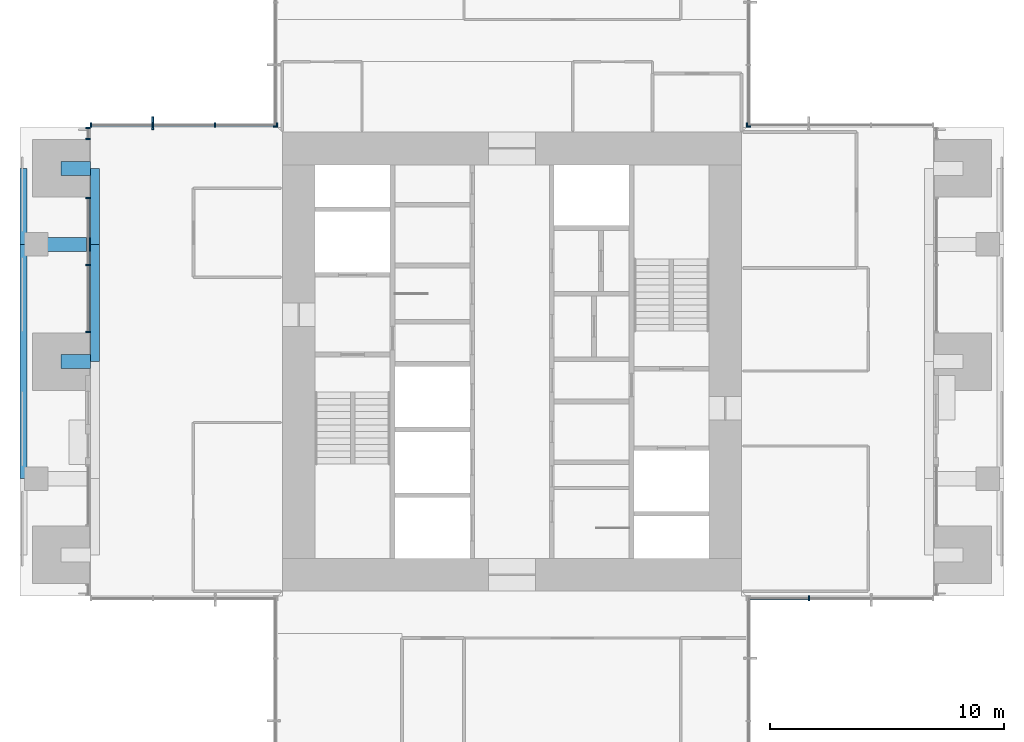
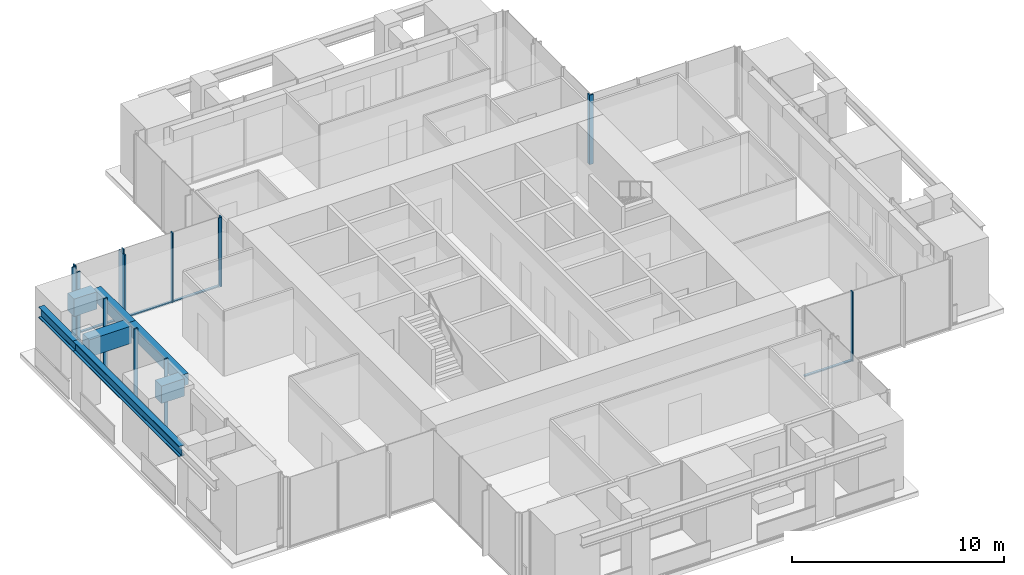
# One storey, part 3 of 17: 20 members, 7 beams, 7 elements without a shape of their own.
"""IFC4 building model written with IfcOpenShell, lengths in metres."""

from ifc_helpers import new_model, si_unit, direction, frame, origin, origin_2d, place, context, subcontext, project, spatial, rectangle, i_section, extrude, material, material_profile, profile_set, type_object, element, aggregate, save


model = new_model("IFC4")

# Units and contexts
model_context = context("Model", 3, precision=1e-05, world=origin(), true_north=direction((0.0, 1.0)))
body_context = subcontext(model_context, "Body", "Model", "MODEL_VIEW")
ifc_project = project(units=[si_unit("LENGTHUNIT", "METRE"), si_unit("AREAUNIT", "SQUARE_METRE"), si_unit("VOLUMEUNIT", "CUBIC_METRE"), si_unit("PLANEANGLEUNIT", "RADIAN"), si_unit("MASSUNIT", "GRAM", prefix="KILO")], contexts=[model_context])

# Site, building, storey
site_placement = place(None, origin())
site = spatial("IfcSite", under=ifc_project, at=site_placement, CompositionType="ELEMENT")
building_placement = place(site_placement, origin())
building = spatial("IfcBuilding", under=site, at=building_placement, Name="Svetlomir Tower", CompositionType="ELEMENT")
storey_placement = place(building_placement, frame((0.0, 0.0, 170.5)))
storey = spatial("IfcBuildingStorey", under=building, at=storey_placement, Name="L40", CompositionType="ELEMENT", Elevation=170.5)

# Curtain wall, member
ifc_material_1 = material(Name="Bronze anodised aluminium curtain wall", Category="aluminium")
curtain_wall_type = type_object("IfcCurtainWallType", Name="CURTAIN WALL CW1 TOWER OFFICE", PredefinedType="NOTDEFINED", material=ifc_material_1)
curtain_wall_1_placement = place(storey_placement, origin())
curtain_wall_1 = element("IfcCurtainWall", 1, at=curtain_wall_1_placement, inside=storey, type_object=curtain_wall_type, Name="Curtain wall CW1 L40", PredefinedType="NOTDEFINED")
ifc_material_2 = material(Name="Bronze anodised aluminium", Category="aluminium")
ifc_material_profile_1 = material_profile(ifc_material_2, rectangle(XDim=0.080078125, YDim=0.550048828125, at=origin_2d()), Name="FIN 80x550")
ifc_profile_set_1 = profile_set([ifc_material_profile_1], Name="Bronze anodised aluminium 6063-T6")
member_type_1 = type_object("IfcMemberType", Name="BRONZE FIN 80x550", PredefinedType="USERDEFINED", material=ifc_profile_set_1)
member_1_placement = place(storey_placement, frame((5.666748046875, 31.175048828125, 0.0), z_axis=(0.0, 0.0, 1.0), x_axis=(1.0, 0.0, 0.0)))
member_1 = element("IfcMember", 2, at=member_1_placement, type_object=member_type_1, Name="Bronze fin L40", ObjectType="FIN", PredefinedType="USERDEFINED", context=body_context, shape_type="SweptSolid", body=[
    extrude(rectangle(XDim=0.080078125, YDim=0.550048828125, at=origin_2d()), origin(), (0.0, 0.0, 1.0), 3.75),
])

curtain_wall_2_placement = place(storey_placement, origin())
curtain_wall_2 = element("IfcCurtainWall", 3, at=curtain_wall_2_placement, inside=storey, type_object=curtain_wall_type, Name="Curtain wall CW1 L40", PredefinedType="NOTDEFINED")
ifc_material_3 = material(Name="Bronze anodised aluminium", Category="aluminium")
ifc_material_profile_2 = material_profile(ifc_material_3, rectangle(XDim=0.06494140625, YDim=0.199951171875, at=origin_2d()), Name="AL 65x200")
ifc_profile_set_2 = profile_set([ifc_material_profile_2], Name="Bronze anodised aluminium 6063-T6")
member_type_2 = type_object("IfcMemberType", Name="CW1 MULLION 65x200", PredefinedType="MULLION", material=ifc_profile_set_2)
member_2_placement = place(storey_placement, frame((33.666748046875, 10.89990234375, 0.0), z_axis=(0.0, 0.0, 1.0), x_axis=(1.0, 0.0, 0.0)))
member_2 = element("IfcMember", 4, at=member_2_placement, type_object=member_type_2, Name="CW1 mullion 2", PredefinedType="MULLION", context=body_context, shape_type="SweptSolid", body=[
    extrude(rectangle(XDim=0.06494140625, YDim=0.199951171875, at=origin_2d()), origin(), (0.0, 0.0, 1.0), 4.0),
])

curtain_wall_3_placement = place(storey_placement, origin())
curtain_wall_3 = element("IfcCurtainWall", 5, at=curtain_wall_3_placement, inside=storey, type_object=curtain_wall_type, Name="Curtain wall CW1 L40", PredefinedType="NOTDEFINED")
member_3_placement = place(storey_placement, frame((31.032470703125, 31.10009765625, 0.0), z_axis=(0.0, 0.0, 1.0), x_axis=(-1.0, 0.0, 0.0)))
member_3 = element("IfcMember", 6, at=member_3_placement, type_object=member_type_2, Name="CW1 mullion 4", PredefinedType="MULLION", context=body_context, shape_type="SweptSolid", body=[
    extrude(rectangle(XDim=0.06494140625, YDim=0.199951171875, at=origin_2d()), origin(), (0.0, 0.0, 1.0), 4.0),
])
aggregate(curtain_wall_3, [member_3])

curtain_wall_4_placement = place(storey_placement, origin())
curtain_wall_4 = element("IfcCurtainWall", 7, at=curtain_wall_4_placement, inside=storey, type_object=curtain_wall_type, Name="Curtain wall CW1 L40", PredefinedType="NOTDEFINED")
member_4_placement = place(storey_placement, frame((31.10009765625, 31.032470703125, 0.0), z_axis=(0.0, 0.0, 1.0), x_axis=(0.0, 1.0, 0.0)))
member_4 = element("IfcMember", 8, at=member_4_placement, type_object=member_type_2, Name="CW1 mullion 1", PredefinedType="MULLION", context=body_context, shape_type="SweptSolid", body=[
    extrude(rectangle(XDim=0.06494140625, YDim=0.199951171875, at=origin_2d()), origin(), (0.0, 0.0, 1.0), 4.0),
])
aggregate(curtain_wall_4, [member_4])

curtain_wall_5_placement = place(storey_placement, origin())
curtain_wall_5 = element("IfcCurtainWall", 9, at=curtain_wall_5_placement, inside=storey, type_object=curtain_wall_type, Name="Curtain wall CW1 L40", PredefinedType="NOTDEFINED")
member_5_placement = place(storey_placement, frame((10.89990234375, 31.032470703125, 0.0), z_axis=(0.0, 0.0, 1.0), x_axis=(0.0, -1.0, 0.0)))
member_5 = element("IfcMember", 10, at=member_5_placement, type_object=member_type_2, Name="CW1 mullion 4", PredefinedType="MULLION", context=body_context, shape_type="SweptSolid", body=[
    extrude(rectangle(XDim=0.06494140625, YDim=0.199951171875, at=origin_2d()), origin(), (0.0, 0.0, 1.0), 4.0),
])
aggregate(curtain_wall_5, [member_5])

# Member
member_6_placement = place(storey_placement, frame((10.967529296875, 31.10009765625, 0.0), z_axis=(0.0, 0.0, 1.0), x_axis=(-1.0, 0.0, 0.0)))
member_6 = element("IfcMember", 11, at=member_6_placement, type_object=member_type_2, Name="CW1 mullion 1", PredefinedType="MULLION", context=body_context, shape_type="SweptSolid", body=[
    extrude(rectangle(XDim=0.06494140625, YDim=0.199951171875, at=origin_2d()), origin(), (0.0, 0.0, 1.0), 4.0),
])

member_7_placement = place(storey_placement, frame((8.333251953125, 31.10009765625, 0.0), z_axis=(0.0, 0.0, 1.0), x_axis=(-1.0, 0.0, 0.0)))
member_7 = element("IfcMember", 12, at=member_7_placement, type_object=member_type_2, Name="CW1 mullion 2", PredefinedType="MULLION", context=body_context, shape_type="SweptSolid", body=[
    extrude(rectangle(XDim=0.06494140625, YDim=0.199951171875, at=origin_2d()), origin(), (0.0, 0.0, 1.0), 4.0),
])

member_8_placement = place(storey_placement, frame((5.666748046875, 31.10009765625, 0.0), z_axis=(0.0, 0.0, 1.0), x_axis=(-1.0, 0.0, 0.0)))
member_8 = element("IfcMember", 13, at=member_8_placement, type_object=member_type_2, Name="CW1 mullion 3", PredefinedType="MULLION", context=body_context, shape_type="SweptSolid", body=[
    extrude(rectangle(XDim=0.06494140625, YDim=0.199951171875, at=origin_2d()), origin(), (0.0, 0.0, 1.0), 4.0),
])

member_9_placement = place(storey_placement, frame((3.032470703125, 31.10009765625, 0.0), z_axis=(0.0, 0.0, 1.0), x_axis=(-1.0, 0.0, 0.0)))
member_9 = element("IfcMember", 14, at=member_9_placement, type_object=member_type_2, Name="CW1 mullion 4", PredefinedType="MULLION", context=body_context, shape_type="SweptSolid", body=[
    extrude(rectangle(XDim=0.06494140625, YDim=0.199951171875, at=origin_2d()), origin(), (0.0, 0.0, 1.0), 4.0),
])

# Curtain wall, members
curtain_wall_6_placement = place(storey_placement, origin())
curtain_wall_6 = element("IfcCurtainWall", 15, at=curtain_wall_6_placement, inside=storey, type_object=curtain_wall_type, Name="Curtain wall CW1 L40", PredefinedType="NOTDEFINED")
member_10_placement = place(storey_placement, frame((2.89990234375, 30.967529296875, 0.0), z_axis=(0.0, 0.0, 1.0), x_axis=(0.0, -1.0, 0.0)))
member_10 = element("IfcMember", 16, at=member_10_placement, type_object=member_type_2, Name="CW1 mullion 1", PredefinedType="MULLION", context=body_context, shape_type="SweptSolid", body=[
    extrude(rectangle(XDim=0.06494140625, YDim=0.199951171875, at=origin_2d()), origin(), (0.0, 0.0, 1.0), 4.0),
])
member_11_placement = place(storey_placement, frame((2.89990234375, 30.507568359375, 0.0), z_axis=(0.0, 0.0, 1.0), x_axis=(0.0, -1.0, 0.0)))
member_11 = element("IfcMember", 17, at=member_11_placement, type_object=member_type_2, Name="CW1 mullion 2", PredefinedType="MULLION", context=body_context, shape_type="SweptSolid", body=[
    extrude(rectangle(XDim=0.06494140625, YDim=0.199951171875, at=origin_2d()), origin(), (0.0, 0.0, 1.0), 4.0),
])
aggregate(curtain_wall_6, [member_10, member_11])

curtain_wall_7_placement = place(storey_placement, origin())
curtain_wall_7 = element("IfcCurtainWall", 18, at=curtain_wall_7_placement, inside=storey, type_object=curtain_wall_type, Name="Curtain wall CW1 L40", PredefinedType="NOTDEFINED")
member_12_placement = place(storey_placement, frame((2.89990234375, 27.992431640625, 0.0), z_axis=(0.0, 0.0, 1.0), x_axis=(0.0, -1.0, 0.0)))
member_12 = element("IfcMember", 19, at=member_12_placement, type_object=member_type_2, Name="CW1 mullion 1", PredefinedType="MULLION", context=body_context, shape_type="SweptSolid", body=[
    extrude(rectangle(XDim=0.06494140625, YDim=0.199951171875, at=origin_2d()), origin(), (0.0, 0.0, 1.0), 4.0),
])
member_13_placement = place(storey_placement, frame((2.89990234375, 25.125, 0.0), z_axis=(0.0, 0.0, 1.0), x_axis=(0.0, -1.0, 0.0)))
member_13 = element("IfcMember", 20, at=member_13_placement, type_object=member_type_2, Name="CW1 mullion 2", PredefinedType="MULLION", context=body_context, shape_type="SweptSolid", body=[
    extrude(rectangle(XDim=0.06494140625, YDim=0.199951171875, at=origin_2d()), origin(), (0.0, 0.0, 1.0), 4.0),
])
member_14_placement = place(storey_placement, frame((2.89990234375, 22.257568359375, 0.0), z_axis=(0.0, 0.0, 1.0), x_axis=(0.0, -1.0, 0.0)))
member_14 = element("IfcMember", 21, at=member_14_placement, type_object=member_type_2, Name="CW1 mullion 3", PredefinedType="MULLION", context=body_context, shape_type="SweptSolid", body=[
    extrude(rectangle(XDim=0.06494140625, YDim=0.199951171875, at=origin_2d()), origin(), (0.0, 0.0, 1.0), 4.0),
])

# Member
ifc_material_4 = material(Name="Bronze anodised aluminium", Category="aluminium")
ifc_material_profile_3 = material_profile(ifc_material_4, rectangle(XDim=0.139892578125, YDim=0.06494140625, at=origin_2d()), Name="AL 140x65")
ifc_profile_set_3 = profile_set([ifc_material_profile_3], Name="Bronze anodised aluminium 6063-T6")
member_type_3 = type_object("IfcMemberType", Name="CW1 TRANSOM 65x140", PredefinedType="USERDEFINED", material=ifc_profile_set_3)
member_15_placement = place(storey_placement, frame((31.06494140625, 10.89990234375, 0.032470703125), z_axis=(1.0, 0.0, 0.0), x_axis=(0.0, 1.0, 0.0)))
member_15 = element("IfcMember", 22, at=member_15_placement, type_object=member_type_3, Name="CW1 transom 1.1", ObjectType="TRANSOM", PredefinedType="USERDEFINED", context=body_context, shape_type="SweptSolid", body=[
    extrude(rectangle(XDim=0.139892578125, YDim=0.06494140625, at=origin_2d()), origin(), (0.0, 0.0, 1.0), 2.5693359375),
])

aggregate(curtain_wall_2, [member_2, member_15])

member_16_placement = place(storey_placement, frame((10.93505859375, 31.10009765625, 0.032470703125), z_axis=(-1.0, 0.0, 0.0), x_axis=(0.0, -1.0, 0.0)))
member_16 = element("IfcMember", 23, at=member_16_placement, type_object=member_type_3, Name="CW1 transom 1.1", ObjectType="TRANSOM", PredefinedType="USERDEFINED", context=body_context, shape_type="SweptSolid", body=[
    extrude(rectangle(XDim=0.139892578125, YDim=0.06494140625, at=origin_2d()), origin(), (0.0, 0.0, 1.0), 2.5693359375),
])

member_17_placement = place(storey_placement, frame((8.30078125, 31.10009765625, 0.032470703125), z_axis=(-1.0, 0.0, 0.0), x_axis=(0.0, -1.0, 0.0)))
member_17 = element("IfcMember", 24, at=member_17_placement, type_object=member_type_3, Name="CW1 transom 2.1", ObjectType="TRANSOM", PredefinedType="USERDEFINED", context=body_context, shape_type="SweptSolid", body=[
    extrude(rectangle(XDim=0.139892578125, YDim=0.06494140625, at=origin_2d()), origin(), (0.0, 0.0, 1.0), 2.6015625),
])

member_18_placement = place(storey_placement, frame((5.63427734375, 31.10009765625, 0.032470703125), z_axis=(-1.0, 0.0, 0.0), x_axis=(0.0, -1.0, 0.0)))
member_18 = element("IfcMember", 25, at=member_18_placement, type_object=member_type_3, Name="CW1 transom 3.1", ObjectType="TRANSOM", PredefinedType="USERDEFINED", context=body_context, shape_type="SweptSolid", body=[
    extrude(rectangle(XDim=0.139892578125, YDim=0.06494140625, at=origin_2d()), origin(), (0.0, 0.0, 1.0), 2.5693359375),
])

aggregate(curtain_wall_1, [member_6, member_7, member_8, member_9, member_16, member_17, member_18, member_1])

member_19_placement = place(storey_placement, frame((2.89990234375, 27.9599609375, 0.032470703125), z_axis=(0.0, -1.0, 0.0), x_axis=(1.0, 0.0, 0.0)))
member_19 = element("IfcMember", 26, at=member_19_placement, type_object=member_type_3, Name="CW1 transom 1.1", ObjectType="TRANSOM", PredefinedType="USERDEFINED", context=body_context, shape_type="SweptSolid", body=[
    extrude(rectangle(XDim=0.139892578125, YDim=0.06494140625, at=origin_2d()), origin(), (0.0, 0.0, 1.0), 2.802490234375),
])

member_20_placement = place(storey_placement, frame((2.89990234375, 25.092529296875, 0.032470703125), z_axis=(0.0, -1.0, 0.0), x_axis=(1.0, 0.0, 0.0)))
member_20 = element("IfcMember", 27, at=member_20_placement, type_object=member_type_3, Name="CW1 transom 2.1", ObjectType="TRANSOM", PredefinedType="USERDEFINED", context=body_context, shape_type="SweptSolid", body=[
    extrude(rectangle(XDim=0.139892578125, YDim=0.06494140625, at=origin_2d()), origin(), (0.0, 0.0, 1.0), 2.802490234375),
])

aggregate(curtain_wall_7, [member_12, member_13, member_14, member_19, member_20])

# Beams
ifc_material_5 = material(Name="Steel S355", Category="steel")
ifc_material_profile_4 = material_profile(ifc_material_5, i_section(OverallWidth=0.304931640625, OverallDepth=0.6201171875, WebThickness=0.02099609375, FlangeThickness=0.0400390625, FilletRadius=0.027099609375, at=origin_2d()), Name="HEM 600")
ifc_profile_set_4 = profile_set([ifc_material_profile_4], Name="Steel S355")
beam_type_1 = type_object("IfcBeamType", Name="EDGE BEAM HEM 600", PredefinedType="SPANDREL", material=ifc_profile_set_4)
beam_1_placement = place(storey_placement, frame((0.152587890625, 16.0, 3.43994140625), z_axis=(0.0, 1.0, 0.0), x_axis=(-1.0, 0.0, 0.0)))
element("IfcBeam", 28, at=beam_1_placement, inside=storey, type_object=beam_type_1, Name="Edge beam 0/16 to 0/26 under L41", PredefinedType="SPANDREL", context=body_context, shape_type="SweptSolid", body=[
    extrude(i_section(OverallWidth=0.304931640625, OverallDepth=0.6201171875, WebThickness=0.02099609375, FlangeThickness=0.0400390625, FilletRadius=0.027099609375, at=origin_2d()), origin(), (0.0, 0.0, 1.0), 10.0),
])
beam_2_placement = place(storey_placement, frame((0.152587890625, 26.0, 3.43994140625), z_axis=(0.0, 1.0, 0.0), x_axis=(-1.0, 0.0, 0.0)))
element("IfcBeam", 29, at=beam_2_placement, inside=storey, type_object=beam_type_1, Name="Edge beam 0/26 to 0/31 under L41", PredefinedType="SPANDREL", context=body_context, shape_type="SweptSolid", body=[
    extrude(i_section(OverallWidth=0.304931640625, OverallDepth=0.6201171875, WebThickness=0.02099609375, FlangeThickness=0.0400390625, FilletRadius=0.027099609375, at=origin_2d()), origin(), (0.0, 0.0, 1.0), 3.25),
])
ifc_material_6 = material(Name="Concrete C60/75", Category="concrete")
ifc_material_profile_5 = material_profile(ifc_material_6, rectangle(XDim=0.39990234375, YDim=0.64990234375, at=origin_2d()), Name="RC 400x650")
ifc_profile_set_5 = profile_set([ifc_material_profile_5], Name="Concrete C60/75")
beam_type_2 = type_object("IfcBeamType", Name="FACADE EDGE BEAM RC 400x650", PredefinedType="BEAM", material=ifc_profile_set_5)
beam_3_placement = place(storey_placement, frame((3.199951171875, 21.0, 3.425048828125), z_axis=(0.0, 1.0, 0.0), x_axis=(-1.0, 0.0, 0.0)))
element("IfcBeam", 30, at=beam_3_placement, inside=storey, type_object=beam_type_2, Name="Facade edge beam W 21 to 26 under L41", PredefinedType="BEAM", context=body_context, shape_type="SweptSolid", body=[
    extrude(rectangle(XDim=0.39990234375, YDim=0.64990234375, at=origin_2d()), origin(), (0.0, 0.0, 1.0), 5.0),
])
beam_4_placement = place(storey_placement, frame((3.199951171875, 26.0, 3.425048828125), z_axis=(0.0, 1.0, 0.0), x_axis=(-1.0, 0.0, 0.0)))
element("IfcBeam", 31, at=beam_4_placement, inside=storey, type_object=beam_type_2, Name="Facade edge beam W 26 to 31 under L41", PredefinedType="BEAM", context=body_context, shape_type="SweptSolid", body=[
    extrude(rectangle(XDim=0.39990234375, YDim=0.64990234375, at=origin_2d()), origin(), (0.0, 0.0, 1.0), 3.25),
])
ifc_material_7 = material(Name="Concrete C60/75", Category="concrete")
ifc_material_profile_6 = material_profile(ifc_material_7, rectangle(XDim=0.60009765625, YDim=1.0, at=origin_2d()), Name="RC 600x1000")
ifc_profile_set_6 = profile_set([ifc_material_profile_6], Name="Concrete C60/75")
beam_type_3 = type_object("IfcBeamType", Name="LOGGIA LINK BEAM RC 600x1000", PredefinedType="BEAM", material=ifc_profile_set_6)
beam_5_placement = place(storey_placement, frame((1.75, 21.0, 3.25), z_axis=(1.0, 0.0, 0.0), x_axis=(0.0, 1.0, 0.0)))
element("IfcBeam", 32, at=beam_5_placement, inside=storey, type_object=beam_type_3, Name="Loggia link beam W 21 under L41", PredefinedType="BEAM", context=body_context, shape_type="SweptSolid", body=[
    extrude(rectangle(XDim=0.60009765625, YDim=1.0, at=origin_2d()), origin(), (0.0, 0.0, 1.0), 1.25),
])
beam_6_placement = place(storey_placement, frame((0.699951171875, 26.0, 3.25), z_axis=(1.0, 0.0, 0.0), x_axis=(0.0, 1.0, 0.0)))
element("IfcBeam", 33, at=beam_6_placement, inside=storey, type_object=beam_type_3, Name="Loggia link beam W 26 under L41", PredefinedType="BEAM", context=body_context, shape_type="SweptSolid", body=[
    extrude(rectangle(XDim=0.60009765625, YDim=1.0, at=origin_2d()), origin(), (0.0, 0.0, 1.0), 2.300048828125),
])
beam_7_placement = place(storey_placement, frame((1.75, 29.25, 3.25), z_axis=(1.0, 0.0, 0.0), x_axis=(0.0, 1.0, 0.0)))
element("IfcBeam", 34, at=beam_7_placement, inside=storey, type_object=beam_type_3, Name="Loggia link beam W 31 under L41", PredefinedType="BEAM", context=body_context, shape_type="SweptSolid", body=[
    extrude(rectangle(XDim=0.60009765625, YDim=1.0, at=origin_2d()), origin(), (0.0, 0.0, 1.0), 1.25),
])

save(model, "model.ifc")
